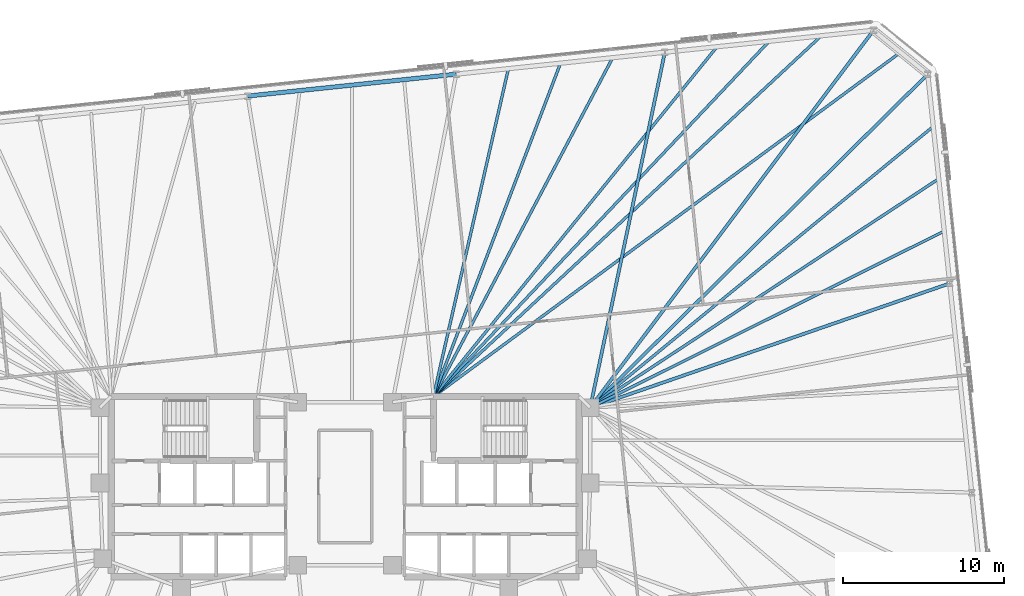
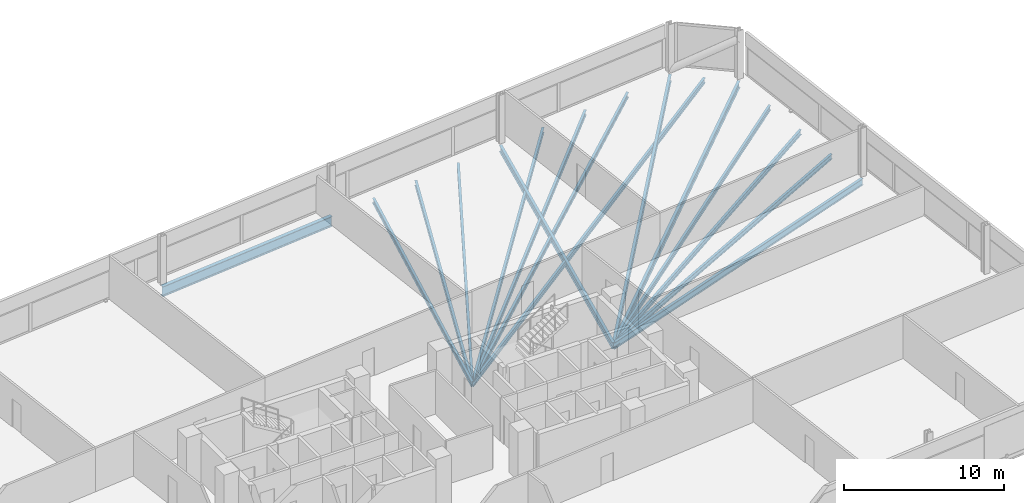
# One storey, part 10 of 18: 15 beams.
"""IFC4 building model written with IfcOpenShell, lengths in metres."""

import ifcopenshell
import ifcopenshell.guid

model = None  # the IFC model being written
_history = None  # IfcOwnerHistory: only IFC2X3 demands one
_inside = {}  # id of a spatial element -> (the spatial element, [elements in it])
_under = {}  # id of a project, library or spatial element -> (it, [spatial elements below it])
_declared = {}  # id of a project -> (the project, [libraries it declares])
_typed = {}  # id of a type object -> (the type object, [elements of that type])
_made_of = {}  # id of a material, layer set ... -> (it, [elements and type objects made of it])


def new_model(schema):
    """Start an empty IFC model of exactly this schema.

    Asked for "IFC4X3", IfcOpenShell would pick the latest addendum, in which some entities
    have other attributes; the version numbers below select the first issue.
    IFC2X3 requires an IfcOwnerHistory on every rooted entity: one is made here for all.
    """
    global model, _history
    if schema == "IFC4X3":
        model = ifcopenshell.file(schema_version=(4, 3, 0, 0))
    else:
        model = ifcopenshell.file(schema=schema)
    _inside.clear()
    _under.clear()
    _declared.clear()
    _typed.clear()
    _made_of.clear()
    _history = None
    if model.schema == "IFC2X3":
        org = make("IfcOrganization", Name="unknown")
        user = make(
            "IfcPersonAndOrganization",
            ThePerson=make("IfcPerson", FamilyName="unknown"),
            TheOrganization=org,
        )
        app = make(
            "IfcApplication",
            ApplicationDeveloper=org,
            Version="unknown",
            ApplicationFullName="unknown",
            ApplicationIdentifier="unknown",
        )
        _history = make(
            "IfcOwnerHistory",
            OwningUser=user,
            OwningApplication=app,
            ChangeAction="ADDED",
            CreationDate=0,
        )
    return model


def make(cls, **values):
    """One entity of the class cls with the attributes given. An attribute that is None is left unset."""
    return model.create_entity(
        cls, **{name: value for name, value in values.items() if value is not None}
    )


def rooted(cls, **values):
    """An entity with a GlobalId (a new one), such as an element, a storey or a relation."""
    return make(cls, GlobalId=ifcopenshell.guid.new(), OwnerHistory=_history, **values)


def si_unit(unit_type, name, prefix=None):
    """IfcSIUnit, for example si_unit("LENGTHUNIT", "METRE", prefix="MILLI")."""
    return make("IfcSIUnit", UnitType=unit_type, Prefix=prefix, Name=name)


def assignment(units):
    """IfcUnitAssignment: the units of a project."""
    return None if units is None else make("IfcUnitAssignment", Units=units)


def point(xyz):
    """IfcCartesianPoint."""
    return None if xyz is None else make("IfcCartesianPoint", Coordinates=xyz)


def direction(xyz):
    """IfcDirection."""
    return None if xyz is None else make("IfcDirection", DirectionRatios=xyz)


def frame(location, z_axis=None, x_axis=None):
    """IfcAxis2Placement3D, a coordinate frame: its origin and axes. An axis left out is left unset."""
    return make(
        "IfcAxis2Placement3D",
        Location=point(location),
        Axis=direction(z_axis),
        RefDirection=direction(x_axis),
    )


def frame_2d(location, x_axis=None):
    """IfcAxis2Placement2D, a coordinate frame in the plane: its origin and x axis."""
    return make(
        "IfcAxis2Placement2D", Location=point(location), RefDirection=direction(x_axis)
    )


def origin():
    """The frame at (0, 0, 0) with its axes left unset."""
    return frame((0.0, 0.0, 0.0))


def origin_2d():
    """The frame at (0, 0) in the plane with its x axis left unset."""
    return frame_2d((0.0, 0.0))


def place(relative_to, where):
    """IfcLocalPlacement: puts the frame where relative to a parent placement (None: the world)."""
    return make(
        "IfcLocalPlacement", PlacementRelTo=relative_to, RelativePlacement=where
    )


def context(
    kind, dimensions, precision=None, world=None, true_north=None, identifier=None
):
    """IfcGeometricRepresentationContext, for example the 3D "Model" context."""
    return make(
        "IfcGeometricRepresentationContext",
        ContextIdentifier=identifier,
        ContextType=kind,
        CoordinateSpaceDimension=dimensions,
        Precision=precision,
        WorldCoordinateSystem=world,
        TrueNorth=true_north,
    )


def subcontext(parent, identifier, kind, view, scale=None):
    """IfcGeometricRepresentationSubContext, for example "Body" below "Model"."""
    return make(
        "IfcGeometricRepresentationSubContext",
        ContextIdentifier=identifier,
        ContextType=kind,
        ParentContext=parent,
        TargetScale=scale,
        TargetView=view,
    )


def project(units=None, contexts=None):
    """IfcProject with its units and contexts."""
    return rooted(
        "IfcProject",
        Name="project",
        RepresentationContexts=contexts,
        UnitsInContext=assignment(units),
    )


def spatial(cls, under=None, at=None, **own):
    """A site, building, storey or space (cls), placed at a placement, below another one or the project."""
    s = rooted(cls, ObjectPlacement=at, **own)
    if under is not None:
        _under.setdefault(under.id(), (under, []))[1].append(s)
    return s


def profile(cls, at=None, kind="AREA", **sizes):
    """A parametric profile (cls). Its sizes go by their IFC names, for example OverallWidth=200.0."""
    return make(cls, ProfileType=kind, Position=at, **sizes)


def i_section(**sizes):
    """IfcIShapeProfileDef."""
    return profile("IfcIShapeProfileDef", **sizes)


def extrude(swept, where, along, depth):
    """IfcExtrudedAreaSolid: the profile swept, set in the frame where, extruded along a direction by depth."""
    return make(
        "IfcExtrudedAreaSolid",
        SweptArea=swept,
        Position=where,
        ExtrudedDirection=direction(along),
        Depth=depth,
    )


def shape(context_of_items, identifier, shape_type, items):
    """IfcShapeRepresentation: the items that make up one representation, for example the "Body"."""
    return make(
        "IfcShapeRepresentation",
        ContextOfItems=context_of_items,
        RepresentationIdentifier=identifier,
        RepresentationType=shape_type,
        Items=items,
    )


def material(Name=None, Category=None):
    """IfcMaterial."""
    return make("IfcMaterial", Name=Name, Category=Category)


def material_profile(
    of_material, cross_section, Name=None, Category=None, Priority=None
):
    """IfcMaterialProfile: a cross section and its material."""
    return make(
        "IfcMaterialProfile",
        Name=Name,
        Material=of_material,
        Profile=cross_section,
        Priority=Priority,
        Category=Category,
    )


def profile_set(profiles, Name=None, composite=None):
    """IfcMaterialProfileSet."""
    return make(
        "IfcMaterialProfileSet",
        Name=Name,
        MaterialProfiles=profiles,
        CompositeProfile=composite,
    )


def made_of(thing, what):
    """Note that an element or type object is made of a material, layer set ...; save() writes the relation."""
    if what is not None:
        _made_of.setdefault(what.id(), (what, []))[1].append(thing)
    return thing


def type_object(cls, material=None, **own):
    """A type object (cls), such as IfcWallType, which elements share."""
    return made_of(rooted(cls, **own), material)


def element(
    cls,
    number,
    at=None,
    inside=None,
    cuts=None,
    type_object=None,
    material=None,
    context=None,
    identifier="Body",
    shape_type=None,
    held_by="IfcProductDefinitionShape",
    body=None,
    shapes=None,
    **own,
):
    """One element of the class cls, such as IfcWall. Its Tag is "e" and its number.

    at: its placement. inside: the storey or other place that contains it. cuts: it is an
    opening in that element (IfcRelVoidsElement). A single representation is given by context,
    identifier, shape_type and body (its items); several are given by shapes. held_by: the class
    of the entity that holds the representations. save() writes the other relations.
    """
    e = rooted(cls, Tag="e%d" % number, ObjectPlacement=at, **own)
    if body is not None:
        shapes = [shape(context, identifier, shape_type, body)]
    if shapes is not None:
        e.Representation = make(held_by, Representations=shapes)
    if inside is not None:
        _inside.setdefault(inside.id(), (inside, []))[1].append(e)
    if cuts is not None:
        rooted(
            "IfcRelVoidsElement", RelatingBuildingElement=cuts, RelatedOpeningElement=e
        )
    if type_object is not None:
        _typed.setdefault(type_object.id(), (type_object, []))[1].append(e)
    return made_of(e, material)


def aggregate(whole, parts):
    """IfcRelAggregates: a whole, such as a stair, and the parts it consists of."""
    return rooted("IfcRelAggregates", RelatingObject=whole, RelatedObjects=parts)


def save(model, path):
    """Write the relations noted so far, then the file.

    IfcRelAggregates (storeys below a building ...), IfcRelContainedInSpatialStructure (elements
    in a storey), IfcRelDefinesByType, IfcRelAssociatesMaterial and IfcRelDeclares: one each for
    every whole, place, type object, material and project.
    """
    for whole, parts in _under.values():
        aggregate(whole, parts)
    for where, things in _inside.values():
        rooted(
            "IfcRelContainedInSpatialStructure",
            RelatedElements=things,
            RelatingStructure=where,
        )
    for kind, things in _typed.values():
        rooted("IfcRelDefinesByType", RelatedObjects=things, RelatingType=kind)
    for what, things in _made_of.values():
        rooted("IfcRelAssociatesMaterial", RelatedObjects=things, RelatingMaterial=what)
    for by, libraries in _declared.values():
        rooted("IfcRelDeclares", RelatingContext=by, RelatedDefinitions=libraries)
    model.write(path)


model = new_model("IFC4")

# Units and contexts
model_context = context("Model", 3, precision=1e-05, world=origin(), true_north=direction((0.0, 1.0)))
body_context = subcontext(model_context, "Body", "Model", "MODEL_VIEW")
ifc_project = project(units=[si_unit("LENGTHUNIT", "METRE"), si_unit("AREAUNIT", "SQUARE_METRE"), si_unit("VOLUMEUNIT", "CUBIC_METRE"), si_unit("PLANEANGLEUNIT", "RADIAN"), si_unit("MASSUNIT", "GRAM", prefix="KILO")], contexts=[model_context])

# Site, building, storey
site_placement = place(None, origin())
site = spatial("IfcSite", under=ifc_project, at=site_placement, CompositionType="ELEMENT")
building_placement = place(site_placement, origin())
building = spatial("IfcBuilding", under=site, at=building_placement, Name="Menara Jurai Vektor", CompositionType="ELEMENT")
storey_placement = place(building_placement, frame((0.0, 0.0, 139.199951171875)))
storey = spatial("IfcBuildingStorey", under=building, at=storey_placement, Name="L35", CompositionType="ELEMENT", Elevation=139.199951171875)

# Beams
ifc_material_1 = material(Name="Steel S355", Category="steel")
ifc_material_profile_1 = material_profile(ifc_material_1, i_section(OverallWidth=0.199951171875, OverallDepth=0.5, WebThickness=0.011962890625, FlangeThickness=0.02001953125, at=origin_2d()), Name="PG 500x200x96")
ifc_profile_set_1 = profile_set([ifc_material_profile_1], Name="Steel S355")
beam_type_1 = type_object("IfcBeamType", Name="STR-BM-500", PredefinedType="BEAM", material=ifc_profile_set_1)
beam_1_placement = place(storey_placement, frame((37.62060546875, 12.638427734375, -0.474853515625), z_axis=(-0.945053249867, -0.326916434148, 0.0), x_axis=(0.326916434148, -0.945053249867, 0.0)))
element("IfcBeam", 1, at=beam_1_placement, inside=storey, type_object=beam_type_1, Name="Radial Floor Girder L35-E3", PredefinedType="BEAM", context=body_context, shape_type="SweptSolid", body=[
    extrude(i_section(OverallWidth=0.199951171875, OverallDepth=0.5, WebThickness=0.011962890625, FlangeThickness=0.02001953125, at=origin_2d()), origin(), (0.0, 0.0, 1.0), 23.671142578125),
])
beam_2_placement = place(storey_placement, frame((36.252685546875, 25.652099609375, -0.474853515625), z_axis=(-0.711335927547, -0.702852188004, 0.0), x_axis=(0.702852188004, -0.711335927547, 0.0)))
element("IfcBeam", 2, at=beam_2_placement, inside=storey, type_object=beam_type_1, Name="Radial Floor Girder L35-E4", PredefinedType="BEAM", context=body_context, shape_type="SweptSolid", body=[
    extrude(i_section(OverallWidth=0.199951171875, OverallDepth=0.5, WebThickness=0.011962890625, FlangeThickness=0.02001953125, at=origin_2d()), origin(), (0.0, 0.0, 1.0), 29.525634765625),
])
beam_3_placement = place(storey_placement, frame((32.876220703125, 28.38623046875, -0.474853515625), z_axis=(-0.600250057552, -0.799812395758, 0.0), x_axis=(0.799812395758, -0.600250057552, 0.0)))
element("IfcBeam", 3, at=beam_3_placement, inside=storey, type_object=beam_type_1, Name="Radial Floor Girder L35-N1", PredefinedType="BEAM", context=body_context, shape_type="SweptSolid", body=[
    extrude(i_section(OverallWidth=0.199951171875, OverallDepth=0.5, WebThickness=0.011962890625, FlangeThickness=0.02001953125, at=origin_2d()), origin(), (0.0, 0.0, 1.0), 29.36474609375),
])
beam_4_placement = place(storey_placement, frame((19.896728515625, 27.02197265625, -0.474853515625), z_axis=(-0.205563576063, -0.978643763683, 0.0), x_axis=(0.978643763683, -0.205563576063, 0.0)))
element("IfcBeam", 4, at=beam_4_placement, inside=storey, type_object=beam_type_1, Name="Radial Floor Girder L35-N2", PredefinedType="BEAM", context=body_context, shape_type="SweptSolid", body=[
    extrude(i_section(OverallWidth=0.199951171875, OverallDepth=0.5, WebThickness=0.011962890625, FlangeThickness=0.02001953125, at=origin_2d()), origin(), (0.0, 0.0, 1.0), 22.604736328125),
])
ifc_material_profile_2 = material_profile(ifc_material_1, i_section(OverallWidth=0.175048828125, OverallDepth=0.3798828125, WebThickness=0.010009765625, FlangeThickness=0.014892578125, at=origin_2d()), Name="PG 380x175x58")
ifc_profile_set_2 = profile_set([ifc_material_profile_2], Name="Steel S355")
beam_type_2 = type_object("IfcBeamType", Name="STR-JS-380", PredefinedType="JOIST", material=ifc_profile_set_2)
beam_5_placement = place(storey_placement, frame((37.278564453125, 15.891845703125, -0.4150390625), z_axis=(-0.894789854106, -0.446487532849, 0.0), x_axis=(0.446487532849, -0.894789854106, 0.0)))
element("IfcBeam", 5, at=beam_5_placement, inside=storey, type_object=beam_type_2, Name="Radial Secondary Floor Joist L35-JS16", PredefinedType="JOIST", context=body_context, shape_type="SweptSolid", body=[
    extrude(i_section(OverallWidth=0.175048828125, OverallDepth=0.3798828125, WebThickness=0.010009765625, FlangeThickness=0.014892578125, at=origin_2d()), origin(), (0.0, 0.0, 1.0), 24.61865234375),
])
beam_6_placement = place(storey_placement, frame((36.936767578125, 19.145263671875, -0.4150390625), z_axis=(-0.835810585743, -0.549017909326, 0.0), x_axis=(0.549017909326, -0.835810585743, 0.0)))
element("IfcBeam", 6, at=beam_6_placement, inside=storey, type_object=beam_type_2, Name="Radial Secondary Floor Joist L35-JS17", PredefinedType="JOIST", context=body_context, shape_type="SweptSolid", body=[
    extrude(i_section(OverallWidth=0.175048828125, OverallDepth=0.3798828125, WebThickness=0.010009765625, FlangeThickness=0.014892578125, at=origin_2d()), origin(), (0.0, 0.0, 1.0), 25.947021484375),
])
beam_7_placement = place(storey_placement, frame((36.5947265625, 22.398681640625, -0.4150390625), z_axis=(-0.773337004811, -0.63399517111, 0.0), x_axis=(0.63399517111, -0.773337004811, 0.0)))
element("IfcBeam", 7, at=beam_7_placement, inside=storey, type_object=beam_type_2, Name="Radial Secondary Floor Joist L35-JS18", PredefinedType="JOIST", context=body_context, shape_type="SweptSolid", body=[
    extrude(i_section(OverallWidth=0.175048828125, OverallDepth=0.3798828125, WebThickness=0.010009765625, FlangeThickness=0.014892578125, at=origin_2d()), origin(), (0.0, 0.0, 1.0), 27.600830078125),
])
beam_8_placement = place(storey_placement, frame((34.564453125, 27.01904296875, -0.4150390625), z_axis=(-0.805015724179, -0.593253473504, 0.0), x_axis=(0.593253473504, -0.805015724179, 0.0)))
element("IfcBeam", 8, at=beam_8_placement, inside=storey, type_object=beam_type_2, Name="Radial Secondary Floor Joist L35-JS19", PredefinedType="JOIST", context=body_context, shape_type="SweptSolid", body=[
    extrude(i_section(OverallWidth=0.175048828125, OverallDepth=0.3798828125, WebThickness=0.010009765625, FlangeThickness=0.014892578125, at=origin_2d()), origin(), (0.0, 0.0, 1.0), 36.104248046875),
])
beam_9_placement = place(storey_placement, frame((29.63134765625, 28.045166015625, -0.4150390625), z_axis=(-0.732227546694, -0.681060070671, 0.0), x_axis=(0.681060070671, -0.732227546694, 0.0)))
element("IfcBeam", 9, at=beam_9_placement, inside=storey, type_object=beam_type_2, Name="Radial Secondary Floor Joist L35-JS20", PredefinedType="JOIST", context=body_context, shape_type="SweptSolid", body=[
    extrude(i_section(OverallWidth=0.175048828125, OverallDepth=0.3798828125, WebThickness=0.010009765625, FlangeThickness=0.014892578125, at=origin_2d()), origin(), (0.0, 0.0, 1.0), 32.9560546875),
])
beam_10_placement = place(storey_placement, frame((26.386474609375, 27.7041015625, -0.4150390625), z_axis=(-0.686805497462, -0.726841254096, 0.0), x_axis=(0.726841254096, -0.686805497462, 0.0)))
element("IfcBeam", 10, at=beam_10_placement, inside=storey, type_object=beam_type_2, Name="Radial Secondary Floor Joist L35-JS21", PredefinedType="JOIST", context=body_context, shape_type="SweptSolid", body=[
    extrude(i_section(OverallWidth=0.175048828125, OverallDepth=0.3798828125, WebThickness=0.010009765625, FlangeThickness=0.014892578125, at=origin_2d()), origin(), (0.0, 0.0, 1.0), 30.4111328125),
])
beam_11_placement = place(storey_placement, frame((23.1416015625, 27.363037109375, -0.4150390625), z_axis=(-0.629715269624, -0.776826028917, 0.0), x_axis=(0.776826028917, -0.629715269624, 0.0)))
element("IfcBeam", 11, at=beam_11_placement, inside=storey, type_object=beam_type_2, Name="Radial Secondary Floor Joist L35-JS22", PredefinedType="JOIST", context=body_context, shape_type="SweptSolid", body=[
    extrude(i_section(OverallWidth=0.175048828125, OverallDepth=0.3798828125, WebThickness=0.010009765625, FlangeThickness=0.014892578125, at=origin_2d()), origin(), (0.0, 0.0, 1.0), 28.01513671875),
])
beam_12_placement = place(storey_placement, frame((16.651611328125, 26.680908203125, -0.4150390625), z_axis=(-0.467598899237, -0.883940761268, 0.0), x_axis=(0.883940761268, -0.467598899237, 0.0)))
element("IfcBeam", 12, at=beam_12_placement, inside=storey, type_object=beam_type_2, Name="Radial Secondary Floor Joist L35-JS23", PredefinedType="JOIST", context=body_context, shape_type="SweptSolid", body=[
    extrude(i_section(OverallWidth=0.175048828125, OverallDepth=0.3798828125, WebThickness=0.010009765625, FlangeThickness=0.014892578125, at=origin_2d()), origin(), (0.0, 0.0, 1.0), 23.8486328125),
])
beam_13_placement = place(storey_placement, frame((13.40673828125, 26.33984375, -0.4150390625), z_axis=(-0.3562267616, -0.934399536772, 0.0), x_axis=(0.934399536772, -0.3562267616, 0.0)))
element("IfcBeam", 13, at=beam_13_placement, inside=storey, type_object=beam_type_2, Name="Radial Secondary Floor Joist L35-JS24", PredefinedType="JOIST", context=body_context, shape_type="SweptSolid", body=[
    extrude(i_section(OverallWidth=0.175048828125, OverallDepth=0.3798828125, WebThickness=0.010009765625, FlangeThickness=0.014892578125, at=origin_2d()), origin(), (0.0, 0.0, 1.0), 22.19580078125),
])
beam_14_placement = place(storey_placement, frame((10.161865234375, 25.998779296875, -0.4150390625), z_axis=(-0.222793437271, -0.974865675008, 0.0), x_axis=(0.974865675008, -0.222793437271, 0.0)))
element("IfcBeam", 14, at=beam_14_placement, inside=storey, type_object=beam_type_2, Name="Radial Secondary Floor Joist L35-JS25", PredefinedType="JOIST", context=body_context, shape_type="SweptSolid", body=[
    extrude(i_section(OverallWidth=0.175048828125, OverallDepth=0.3798828125, WebThickness=0.010009765625, FlangeThickness=0.014892578125, at=origin_2d()), origin(), (0.0, 0.0, 1.0), 20.924560546875),
])
ifc_material_2 = material(Name="Steel S460", Category="steel")
ifc_material_profile_3 = material_profile(ifc_material_2, i_section(OverallWidth=0.26806640625, OverallDepth=0.77001953125, WebThickness=0.01611328125, FlangeThickness=0.02490234375, FilletRadius=0.01708984375, at=origin_2d()), Name="UKB 762x267x197")
ifc_profile_set_3 = profile_set([ifc_material_profile_3], Name="Steel S460")
beam_type_3 = type_object("IfcBeamType", Name="STR-SP-762", PredefinedType="SPANDREL", material=ifc_profile_set_3)
beam_15_placement = place(storey_placement, frame((6.9169921875, 25.65771484375, -0.60986328125), z_axis=(-0.994521431679, -0.104532874882, 0.0), x_axis=(0.104532874882, -0.994521431679, 0.0)))
element("IfcBeam", 15, at=beam_15_placement, inside=storey, type_object=beam_type_3, Name="Exoskeleton Spandrel Beam L35-13", PredefinedType="SPANDREL", context=body_context, shape_type="SweptSolid", body=[
    extrude(i_section(OverallWidth=0.26806640625, OverallDepth=0.77001953125, WebThickness=0.01611328125, FlangeThickness=0.02490234375, FilletRadius=0.01708984375, at=origin_2d()), origin(), (0.0, 0.0, 1.0), 13.051025390625),
])

save(model, "model.ifc")
